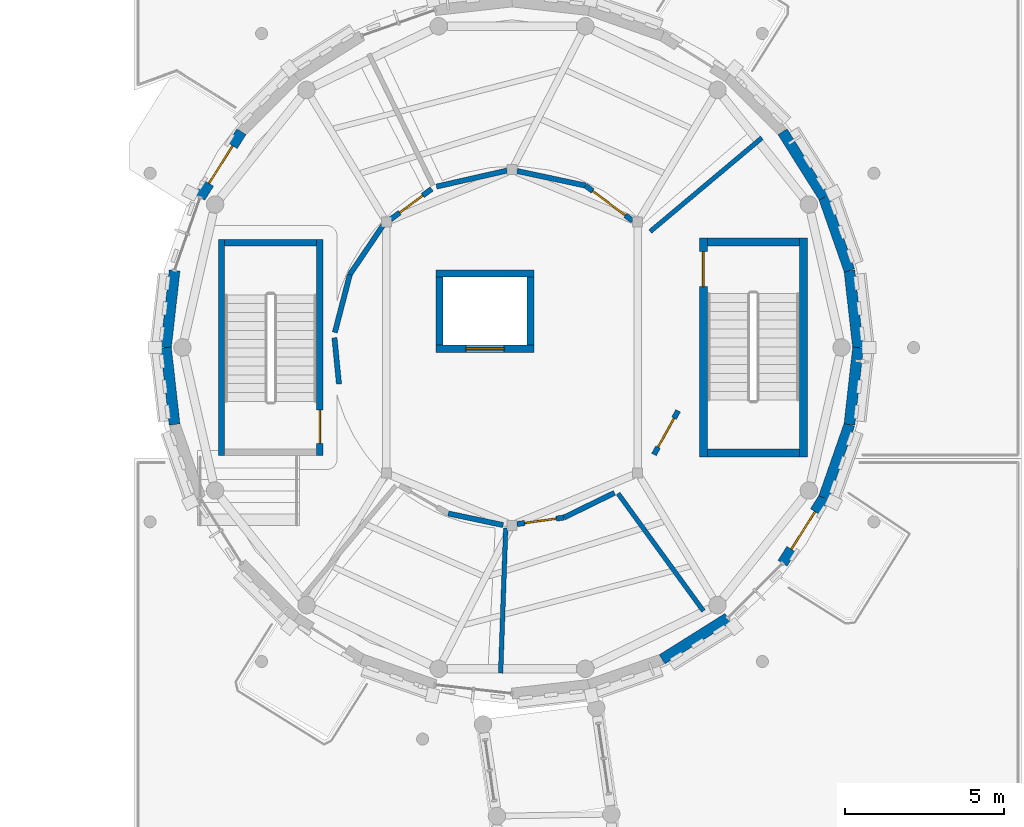
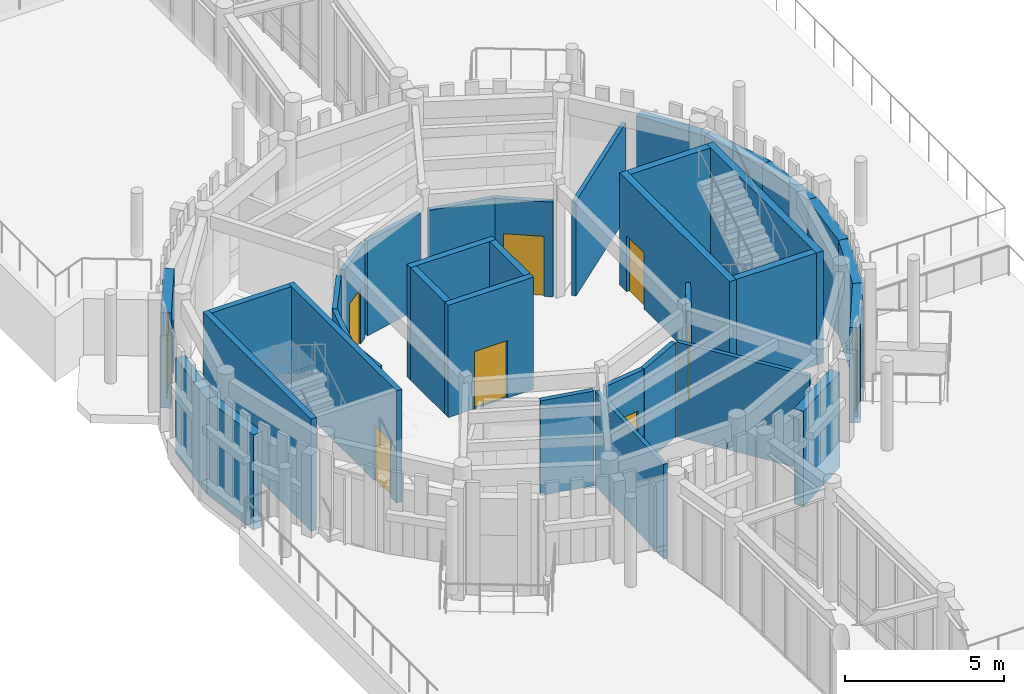
# One storey, part 47 of 94: 35 walls, 9 doors, 9 openings.
"""IFC4 building model written with IfcOpenShell, lengths in metres."""

from ifc_helpers import new_model, si_unit, direction, frame, frame_2d, origin, place, context, subcontext, project, spatial, rectangle, extrude, material, layer, layer_set, type_object, element, fill, save


model = new_model("IFC4")

# Units and contexts
model_context = context("Model", 3, precision=1e-05, world=origin(), true_north=direction((0.0, 1.0)))
body_context = subcontext(model_context, "Body", "Model", "MODEL_VIEW")
ifc_project = project(units=[si_unit("LENGTHUNIT", "METRE"), si_unit("AREAUNIT", "SQUARE_METRE"), si_unit("VOLUMEUNIT", "CUBIC_METRE"), si_unit("PLANEANGLEUNIT", "RADIAN"), si_unit("MASSUNIT", "GRAM", prefix="KILO")], contexts=[model_context])

# Site, building, storey
site_placement = place(None, origin())
site = spatial("IfcSite", under=ifc_project, at=site_placement, CompositionType="ELEMENT")
building_placement = place(site_placement, origin())
building = spatial("IfcBuilding", under=site, at=building_placement, Name="Aldenvaro Health Centre", CompositionType="ELEMENT")
storey_placement = place(building_placement, origin())
storey = spatial("IfcBuildingStorey", under=building, at=storey_placement, Name="L00", CompositionType="ELEMENT", Elevation=0.0)

# Walls
ifc_material_1 = material(Name="Gypsum Stud Acoustic Assembly")
ifc_layer_1 = layer(ifc_material_1, 0.14501953125, Name="Gypsum Stud Acoustic Assembly")
ifc_layer_set_1 = layer_set([ifc_layer_1], Name="Gypsum Stud Acoustic Assembly")
wall_type_1 = type_object("IfcWallType", Name="WL-CLN-145", PredefinedType="PARTITIONING", material=ifc_layer_set_1)
wall_1_placement = place(storey_placement, frame((27.85302734375, 61.153076171875, 0.0), z_axis=(0.0, 0.0, 1.0), x_axis=(0.766177182771, 0.64262938355, 0.0)))
element("IfcWall", 1, at=wall_1_placement, inside=storey, type_object=wall_type_1, Name="D3 L00 clinical partition 1.1", PredefinedType="PARTITIONING", context=body_context, shape_type="SweptSolid", body=[
    extrude(rectangle(XDim=4.59033203125, YDim=0.14501953125, at=frame_2d((2.295166015625, 0.0))), origin(), (0.0, 0.0, 1.0), 3.634033203125),
])
wall_2_placement = place(storey_placement, frame((23.302001953125, 51.820068359375, 0.0), z_axis=(0.0, 0.0, 1.0), x_axis=(-0.034908318573, -0.999390518914, 0.0)))
element("IfcWall", 2, at=wall_2_placement, inside=storey, type_object=wall_type_1, Name="D3 L00 clinical partition 5.1", PredefinedType="PARTITIONING", context=body_context, shape_type="SweptSolid", body=[
    extrude(rectangle(XDim=4.580810546875, YDim=0.14501953125, at=frame_2d((2.29052734375, 0.0))), origin(), (0.0, 0.0, 1.0), 3.634033203125),
])
wall_3_placement = place(storey_placement, frame((26.840087890625, 52.902099609375, 0.0), z_axis=(0.0, 0.0, 1.0), x_axis=(0.587873334136, -0.808952991843, 0.0)))
element("IfcWall", 3, at=wall_3_placement, inside=storey, type_object=wall_type_1, Name="D3 L00 clinical partition 6.1", PredefinedType="PARTITIONING", context=body_context, shape_type="SweptSolid", body=[
    extrude(rectangle(XDim=4.573974609375, YDim=0.14501953125, at=frame_2d((2.287109375, 0.0))), origin(), (0.0, 0.0, 1.0), 3.634033203125),
])

# Wall, opening, door
ifc_layer_2 = layer(ifc_material_1, 0.1650390625, Name="Gypsum Stud Acoustic Assembly")
ifc_layer_set_2 = layer_set([ifc_layer_2], Name="Gypsum Stud Acoustic Assembly")
wall_type_2 = type_object("IfcWallType", Name="WL-COR-165", PredefinedType="PARTITIONING", material=ifc_layer_set_2)
wall_4_placement = place(storey_placement, frame((27.300048828125, 61.489013671875, 0.0), z_axis=(0.0, 0.0, 1.0), x_axis=(-0.801023932766, 0.598632323831, 0.0)))
wall_4 = element("IfcWall", 4, at=wall_4_placement, inside=storey, type_object=wall_type_2, Name="D3 L00 corridor wall 01.1", PredefinedType="PARTITIONING", context=body_context, shape_type="SweptSolid", body=[
    extrude(rectangle(XDim=1.857666015625, YDim=0.1650390625, at=frame_2d((0.9287109375, 0.0))), origin(), (0.0, 0.0, 1.0), 3.634033203125),
])
opening_1_placement = place(wall_4_placement, frame((0.2890625, 0.0, 0.0)))
opening_1 = element("IfcOpeningElement", 5, at=opening_1_placement, cuts=wall_4, Name="Opening D-29", PredefinedType="OPENING", context=body_context, shape_type="SweptSolid", body=[
    extrude(rectangle(XDim=1.280029296875, YDim=2.300048828125, at=frame_2d((0.64013671875, 1.14990234375))), frame((0.0, 0.092529296875, 0.0), z_axis=(0.0, -1.0, 0.0), x_axis=(1.0, 0.0, 0.0)), (0.0, 0.0, 1.0), 0.18505859375),
])
ifc_material_2 = material(Name="Exam Suite Timber Door", Category="wood")
door_type_1 = type_object("IfcDoorType", Name="DR-CLN-29", OperationType="NOTDEFINED", PredefinedType="DOOR", material=ifc_material_2)
door_1_placement = place(opening_1_placement, origin())
door_1 = element("IfcDoor", 6, at=door_1_placement, inside=storey, type_object=door_type_1, Name="Physical Therapy and Gait Gymnasium Door", OperationType="SINGLE_SWING_LEFT", OverallHeight=2.300048828125, OverallWidth=1.280029296875, PredefinedType="DOOR", context=body_context, shape_type="SweptSolid", body=[
    extrude(rectangle(XDim=1.280029296875, YDim=2.300048828125, at=frame_2d((0.64013671875, 1.14990234375))), frame((0.0, 0.02490234375, 0.0), z_axis=(0.0, -1.0, 0.0), x_axis=(1.0, 0.0, 0.0)), (0.0, 0.0, 1.0), 0.050048828125),
])
fill(opening_1, door_1)

# Walls
wall_5_placement = place(storey_placement, frame((25.81201171875, 62.60107421875, 0.0), z_axis=(0.0, 0.0, 1.0), x_axis=(-0.978152936259, 0.207886587563, 0.0)))
element("IfcWall", 7, at=wall_5_placement, inside=storey, type_object=wall_type_2, Name="D3 L00 corridor wall 01.2", PredefinedType="PARTITIONING", context=body_context, shape_type="SweptSolid", body=[
    extrude(rectangle(XDim=2.203125, YDim=0.1650390625, at=frame_2d((1.1015625, 0.0))), origin(), (0.0, 0.0, 1.0), 3.634033203125),
])
wall_6_placement = place(storey_placement, frame((23.340087890625, 63.072021484375, 0.0), z_axis=(0.0, 0.0, 1.0), x_axis=(-0.975285396453, -0.2209488526, 0.0)))
element("IfcWall", 8, at=wall_6_placement, inside=storey, type_object=wall_type_2, Name="D3 L00 corridor wall 01.3", PredefinedType="PARTITIONING", context=body_context, shape_type="SweptSolid", body=[
    extrude(rectangle(XDim=2.276123046875, YDim=0.1650390625, at=frame_2d((1.13818359375, 0.0))), origin(), (0.0, 0.0, 1.0), 3.634033203125),
])

# Wall, opening, door
wall_7_placement = place(storey_placement, frame((20.970947265625, 62.49609375, 0.0), z_axis=(0.0, 0.0, 1.0), x_axis=(-0.803417109956, -0.59541661669, 0.0)))
wall_7 = element("IfcWall", 9, at=wall_7_placement, inside=storey, type_object=wall_type_2, Name="D3 L00 corridor wall 02.1", PredefinedType="PARTITIONING", context=body_context, shape_type="SweptSolid", body=[
    extrude(rectangle(XDim=1.605712890625, YDim=0.1650390625, at=frame_2d((0.802734375, 0.0))), origin(), (0.0, 0.0, 1.0), 3.634033203125),
])
opening_2_placement = place(wall_7_placement, frame((0.35302734375, 0.0, 0.0)))
opening_2 = element("IfcOpeningElement", 10, at=opening_2_placement, cuts=wall_7, Name="Opening WD-01", PredefinedType="OPENING", context=body_context, shape_type="SweptSolid", body=[
    extrude(rectangle(XDim=0.89990234375, YDim=2.10009765625, at=frame_2d((0.449951171875, 1.050048828125))), frame((0.0, 0.092529296875, 0.0), z_axis=(0.0, -1.0, 0.0), x_axis=(1.0, 0.0, 0.0)), (0.0, 0.0, 1.0), 0.18505859375),
])
ifc_material_3 = material(Name="Moisture-Resistant Laminate Door")
door_type_2 = type_object("IfcDoorType", Name="DR-WC-01", OperationType="NOTDEFINED", PredefinedType="DOOR", material=ifc_material_3)
door_2_placement = place(opening_2_placement, origin())
door_2 = element("IfcDoor", 11, at=door_2_placement, inside=storey, type_object=door_type_2, Name="Hydrotherapy Exercise Suite Door", OperationType="SINGLE_SWING_RIGHT", OverallHeight=2.10009765625, OverallWidth=0.89990234375, PredefinedType="DOOR", context=body_context, shape_type="SweptSolid", body=[
    extrude(rectangle(XDim=0.89990234375, YDim=2.10009765625, at=frame_2d((0.449951171875, 1.050048828125))), frame((0.0, 0.02490234375, 0.0), z_axis=(0.0, -1.0, 0.0), x_axis=(1.0, 0.0, 0.0)), (0.0, 0.0, 1.0), 0.050048828125),
])
fill(opening_2, door_2)

# Walls
wall_8_placement = place(storey_placement, frame((19.431884765625, 61.339111328125, 0.0), z_axis=(0.0, 0.0, 1.0), x_axis=(-0.559463805142, -0.828854782659, 0.0)))
element("IfcWall", 12, at=wall_8_placement, inside=storey, type_object=wall_type_2, Name="D3 L00 corridor wall 02.2", PredefinedType="PARTITIONING", context=body_context, shape_type="SweptSolid", body=[
    extrude(rectangle(XDim=1.853271484375, YDim=0.1650390625, at=frame_2d((0.9267578125, 0.0))), origin(), (0.0, 0.0, 1.0), 3.634033203125),
])
wall_9_placement = place(storey_placement, frame((18.39501953125, 59.802978515625, 0.0), z_axis=(0.0, 0.0, 1.0), x_axis=(-0.251275827958, -0.967915522287, 0.0)))
element("IfcWall", 13, at=wall_9_placement, inside=storey, type_object=wall_type_2, Name="D3 L00 corridor wall 02.3", PredefinedType="PARTITIONING", context=body_context, shape_type="SweptSolid", body=[
    extrude(rectangle(XDim=1.890625, YDim=0.1650390625, at=frame_2d((0.9453125, 0.0))), origin(), (0.0, 0.0, 1.0), 3.634033203125),
])
wall_10_placement = place(storey_placement, frame((17.907958984375, 57.80810546875, 0.0), z_axis=(0.0, 0.0, 1.0), x_axis=(0.097655572539, -0.995220271675, 0.0)))
element("IfcWall", 14, at=wall_10_placement, inside=storey, type_object=wall_type_2, Name="D3 L00 corridor wall 03.1", PredefinedType="PARTITIONING", context=body_context, shape_type="SweptSolid", body=[
    extrude(rectangle(XDim=1.465087890625, YDim=0.1650390625, at=frame_2d((0.732421875, 0.0))), origin(), (0.0, 0.0, 1.0), 3.634033203125),
])
wall_11_placement = place(storey_placement, frame((21.492919921875, 52.27197265625, 0.0), z_axis=(0.0, 0.0, 1.0), x_axis=(0.978436766116, -0.206546592113, 0.0)))
element("IfcWall", 15, at=wall_11_placement, inside=storey, type_object=wall_type_2, Name="D3 L00 corridor wall 04.2", PredefinedType="PARTITIONING", context=body_context, shape_type="SweptSolid", body=[
    extrude(rectangle(XDim=1.76708984375, YDim=0.1650390625, at=frame_2d((0.883544921875, 0.0))), origin(), (0.0, 0.0, 1.0), 3.634033203125),
])

# Wall, opening, door
wall_12_placement = place(storey_placement, frame((23.657958984375, 51.93896484375, 0.0), z_axis=(0.0, 0.0, 1.0), x_axis=(0.99043401567, 0.137987175508, 0.0)))
wall_12 = element("IfcWall", 16, at=wall_12_placement, inside=storey, type_object=wall_type_2, Name="D3 L00 corridor wall 05.1", PredefinedType="PARTITIONING", context=body_context, shape_type="SweptSolid", body=[
    extrude(rectangle(XDim=1.493408203125, YDim=0.1650390625, at=frame_2d((0.74658203125, 0.0))), origin(), (0.0, 0.0, 1.0), 3.634033203125),
])
opening_3_placement = place(wall_12_placement, frame((0.2470703125, 0.0, 0.0)))
opening_3 = element("IfcOpeningElement", 17, at=opening_3_placement, cuts=wall_12, Name="Opening D-03", PredefinedType="OPENING", context=body_context, shape_type="SweptSolid", body=[
    extrude(rectangle(XDim=1.0, YDim=2.139892578125, at=frame_2d((0.5, 1.06982421875))), frame((0.0, 0.092529296875, 0.0), z_axis=(0.0, -1.0, 0.0), x_axis=(1.0, 0.0, 0.0)), (0.0, 0.0, 1.0), 0.18505859375),
])
ifc_material_4 = material(Name="Solid Core Acoustic Timber Door", Category="wood")
door_type_3 = type_object("IfcDoorType", Name="DR-CLN-03", OperationType="NOTDEFINED", PredefinedType="DOOR", material=ifc_material_4)
door_3_placement = place(opening_3_placement, origin())
door_3 = element("IfcDoor", 18, at=door_3_placement, inside=storey, type_object=door_type_3, Name="Speech and Audiology Therapy Room Door", OperationType="SINGLE_SWING_RIGHT", OverallHeight=2.139892578125, OverallWidth=1.0, PredefinedType="DOOR", context=body_context, shape_type="SweptSolid", body=[
    extrude(rectangle(XDim=1.0, YDim=2.139892578125, at=frame_2d((0.5, 1.06982421875))), frame((0.0, 0.02490234375, 0.0), z_axis=(0.0, -1.0, 0.0), x_axis=(1.0, 0.0, 0.0)), (0.0, 0.0, 1.0), 0.050048828125),
])
fill(opening_3, door_3)

# Wall
wall_13_placement = place(storey_placement, frame((25.136962890625, 52.14501953125, 0.0), z_axis=(0.0, 0.0, 1.0), x_axis=(0.898398901361, 0.439180388944, 0.0)))
element("IfcWall", 19, at=wall_13_placement, inside=storey, type_object=wall_type_2, Name="D3 L00 corridor wall 05.2", PredefinedType="PARTITIONING", context=body_context, shape_type="SweptSolid", body=[
    extrude(rectangle(XDim=1.7666015625, YDim=0.1650390625, at=frame_2d((0.88330078125, 0.0))), origin(), (0.0, 0.0, 1.0), 3.634033203125),
])

# Wall, opening, door
wall_14_placement = place(storey_placement, frame((27.971923828125, 54.1298828125, 0.0), z_axis=(0.0, 0.0, 1.0), x_axis=(0.483639192056, 0.875267463069, 0.0)))
wall_14 = element("IfcWall", 20, at=wall_14_placement, inside=storey, type_object=wall_type_2, Name="D3 L00 corridor wall 06.1", PredefinedType="PARTITIONING", context=body_context, shape_type="SweptSolid", body=[
    extrude(rectangle(XDim=1.573486328125, YDim=0.1650390625, at=frame_2d((0.78662109375, 0.0))), origin(), (0.0, 0.0, 1.0), 3.634033203125),
])
opening_4_placement = place(wall_14_placement, frame((0.26708984375, 0.0, 0.0)))
opening_4 = element("IfcOpeningElement", 21, at=opening_4_placement, cuts=wall_14, Name="Opening D-04", PredefinedType="OPENING", context=body_context, shape_type="SweptSolid", body=[
    extrude(rectangle(XDim=1.0400390625, YDim=2.139892578125, at=frame_2d((0.52001953125, 1.06982421875))), frame((0.0, 0.092529296875, 0.0), z_axis=(0.0, -1.0, 0.0), x_axis=(1.0, 0.0, 0.0)), (0.0, 0.0, 1.0), 0.18505859375),
])
door_type_4 = type_object("IfcDoorType", Name="DR-CLN-04", OperationType="NOTDEFINED", PredefinedType="DOOR", material=ifc_material_4)
door_4_placement = place(opening_4_placement, origin())
door_4 = element("IfcDoor", 22, at=door_4_placement, inside=storey, type_object=door_type_4, Name="Mobility Splint Fitting Room Door", OperationType="SINGLE_SWING_LEFT", OverallHeight=2.139892578125, OverallWidth=1.0400390625, PredefinedType="DOOR", context=body_context, shape_type="SweptSolid", body=[
    extrude(rectangle(XDim=1.0400390625, YDim=2.139892578125, at=frame_2d((0.52001953125, 1.06982421875))), frame((0.0, 0.02490234375, 0.0), z_axis=(0.0, -1.0, 0.0), x_axis=(1.0, 0.0, 0.0)), (0.0, 0.0, 1.0), 0.050048828125),
])
fill(opening_4, door_4)

# Walls
ifc_material_5 = material(Name="Concrete f'c 35 MPa", Category="concrete")
ifc_layer_3 = layer(ifc_material_5, 0.340087890625, Name="Concrete f'c 35 MPa", Category="concrete")
ifc_layer_set_3 = layer_set([ifc_layer_3], Name="Concrete f'c 35 MPa")
wall_type_3 = type_object("IfcWallType", Name="WL-EXT-340", PredefinedType="SOLIDWALL", material=ifc_layer_set_3)
wall_15_placement = place(storey_placement, frame((34.39990234375, 57.5, 0.0), z_axis=(0.0, 0.0, 1.0), x_axis=(-0.111847873866, -0.993725340882, 0.0)))
element("IfcWall", 23, at=wall_15_placement, inside=storey, type_object=wall_type_3, Name="D3 L00 exterior wall 01", PredefinedType="SOLIDWALL", context=body_context, shape_type="SweptSolid", body=[
    extrude(rectangle(XDim=2.4404296875, YDim=0.340087890625, at=frame_2d((1.22021484375, 0.0))), origin(), (0.0, 0.0, 1.0), 3.658935546875),
])
wall_16_placement = place(storey_placement, frame((34.126953125, 55.074951171875, 0.0), z_axis=(0.0, 0.0, 1.0), x_axis=(-0.330176659411, -0.943919156274, 0.0)))
element("IfcWall", 24, at=wall_16_placement, inside=storey, type_object=wall_type_3, Name="D3 L00 exterior wall 02", PredefinedType="SOLIDWALL", context=body_context, shape_type="SweptSolid", body=[
    extrude(rectangle(XDim=2.44091796875, YDim=0.340087890625, at=frame_2d((1.220458984375, 0.0))), origin(), (0.0, 0.0, 1.0), 3.658935546875),
])

# Wall, opening, door
wall_17_placement = place(storey_placement, frame((33.321044921875, 52.77099609375, 0.0), z_axis=(0.0, 0.0, 1.0), x_axis=(-0.532136726684, -0.846658434148, 0.0)))
wall_17 = element("IfcWall", 25, at=wall_17_placement, inside=storey, type_object=wall_type_3, Name="D3 L00 exterior wall 03", PredefinedType="SOLIDWALL", context=body_context, shape_type="SweptSolid", body=[
    extrude(rectangle(XDim=2.441162109375, YDim=0.340087890625, at=frame_2d((1.220703125, 0.0))), origin(), (0.0, 0.0, 1.0), 3.658935546875),
])
opening_5_placement = place(wall_17_placement, frame((0.52099609375, 0.0, 0.0)))
opening_5 = element("IfcOpeningElement", 26, at=opening_5_placement, cuts=wall_17, Name="Opening ED-05", PredefinedType="OPENING", context=body_context, shape_type="SweptSolid", body=[
    extrude(rectangle(XDim=1.39990234375, YDim=2.300048828125, at=frame_2d((0.699951171875, 1.14990234375))), frame((0.0, 0.18017578125, 0.0), z_axis=(0.0, -1.0, 0.0), x_axis=(1.0, 0.0, 0.0)), (0.0, 0.0, 1.0), 0.360107421875),
])
ifc_material_6 = material(Name="Thermally Broken Glazed Aluminium", Category="aluminium")
door_type_5 = type_object("IfcDoorType", Name="DR-GDN-140", OperationType="NOTDEFINED", PredefinedType="DOOR", material=ifc_material_6)
door_5_placement = place(opening_5_placement, origin())
door_5 = element("IfcDoor", 27, at=door_5_placement, inside=storey, type_object=door_type_5, Name="Pedestrian Final Exit Door 13", OperationType="SINGLE_SWING_LEFT", OverallHeight=2.300048828125, OverallWidth=1.39990234375, PredefinedType="DOOR", context=body_context, shape_type="SweptSolid", body=[
    extrude(rectangle(XDim=1.39990234375, YDim=2.300048828125, at=frame_2d((0.699951171875, 1.14990234375))), frame((0.0, 0.02490234375, 0.0), z_axis=(0.0, -1.0, 0.0), x_axis=(1.0, 0.0, 0.0)), (0.0, 0.0, 1.0), 0.050048828125),
])
fill(opening_5, door_5)

# Walls
wall_18_placement = place(storey_placement, frame((30.2958984375, 48.97802734375, 0.0), z_axis=(0.0, 0.0, 1.0), x_axis=(-0.846658434148, -0.532136726684, 0.0)))
element("IfcWall", 28, at=wall_18_placement, inside=storey, type_object=wall_type_3, Name="D3 L00 exterior wall 05", PredefinedType="SOLIDWALL", context=body_context, shape_type="SweptSolid", body=[
    extrude(rectangle(XDim=2.441162109375, YDim=0.340087890625, at=frame_2d((1.220703125, 0.0))), origin(), (0.0, 0.0, 1.0), 3.658935546875),
])
for number, where, z_axis, x_axis, name in (
    (29, (12.873046875, 55.074951171875, 0.0), (0.0, 0.0, 1.0), (-0.111847873866, 0.993725340882, 0.0), "D3 L00 exterior wall 14"),
    (30, (12.60009765625, 57.5, 0.0), (0.0, 0.0, 1.0), (0.111847873866, 0.993725340882, 0.0), "D3 L00 exterior wall 15"),
):
    element("IfcWall", number, at=place(storey_placement, frame(where, z_axis=z_axis, x_axis=x_axis)), inside=storey, type_object=wall_type_3, Name=name, PredefinedType="SOLIDWALL", context=body_context, shape_type="SweptSolid", body=[
        extrude(rectangle(XDim=2.4404296875, YDim=0.340087890625, at=frame_2d((1.22021484375, 0.0))), origin(), (0.0, 0.0, 1.0), 3.658935546875),
    ])

# Wall, opening, door
wall_19_placement = place(storey_placement, frame((13.678955078125, 62.22900390625, 0.0), z_axis=(0.0, 0.0, 1.0), x_axis=(0.532136726684, 0.846658434148, 0.0)))
wall_19 = element("IfcWall", 31, at=wall_19_placement, inside=storey, type_object=wall_type_3, Name="D3 L00 exterior wall 17", PredefinedType="SOLIDWALL", context=body_context, shape_type="SweptSolid", body=[
    extrude(rectangle(XDim=2.441162109375, YDim=0.340087890625, at=frame_2d((1.220703125, 0.0))), origin(), (0.0, 0.0, 1.0), 3.658935546875),
])
opening_6_placement = place(wall_19_placement, frame((0.52099609375, 0.0, 0.0)))
opening_6 = element("IfcOpeningElement", 32, at=opening_6_placement, cuts=wall_19, Name="Opening ED-05", PredefinedType="OPENING", context=body_context, shape_type="SweptSolid", body=[
    extrude(rectangle(XDim=1.39990234375, YDim=2.300048828125, at=frame_2d((0.699951171875, 1.14990234375))), frame((0.0, 0.18017578125, 0.0), z_axis=(0.0, -1.0, 0.0), x_axis=(1.0, 0.0, 0.0)), (0.0, 0.0, 1.0), 0.360107421875),
])
door_6_placement = place(opening_6_placement, origin())
door_6 = element("IfcDoor", 33, at=door_6_placement, inside=storey, type_object=door_type_5, Name="Pedestrian Final Exit Door 15", OperationType="SINGLE_SWING_LEFT", OverallHeight=2.300048828125, OverallWidth=1.39990234375, PredefinedType="DOOR", context=body_context, shape_type="SweptSolid", body=[
    extrude(rectangle(XDim=1.39990234375, YDim=2.300048828125, at=frame_2d((0.699951171875, 1.14990234375))), frame((0.0, 0.02490234375, 0.0), z_axis=(0.0, -1.0, 0.0), x_axis=(1.0, 0.0, 0.0)), (0.0, 0.0, 1.0), 0.050048828125),
])
fill(opening_6, door_6)

# Walls
wall_20_placement = place(storey_placement, frame((32.02197265625, 64.2958984375, 0.0), z_axis=(0.0, 0.0, 1.0), x_axis=(0.532136726684, -0.846658434148, 0.0)))
element("IfcWall", 34, at=wall_20_placement, inside=storey, type_object=wall_type_3, Name="D3 L00 exterior wall 26", PredefinedType="SOLIDWALL", context=body_context, shape_type="SweptSolid", body=[
    extrude(rectangle(XDim=2.441162109375, YDim=0.340087890625, at=frame_2d((1.220703125, 0.0))), origin(), (0.0, 0.0, 1.0), 3.658935546875),
])
wall_21_placement = place(storey_placement, frame((33.321044921875, 62.22900390625, 0.0), z_axis=(0.0, 0.0, 1.0), x_axis=(0.330176659411, -0.943919156274, 0.0)))
element("IfcWall", 35, at=wall_21_placement, inside=storey, type_object=wall_type_3, Name="D3 L00 exterior wall 27", PredefinedType="SOLIDWALL", context=body_context, shape_type="SweptSolid", body=[
    extrude(rectangle(XDim=2.44091796875, YDim=0.340087890625, at=frame_2d((1.220458984375, 0.0))), origin(), (0.0, 0.0, 1.0), 3.658935546875),
])
wall_22_placement = place(storey_placement, frame((34.126953125, 59.925048828125, 0.0), z_axis=(0.0, 0.0, 1.0), x_axis=(0.111847873866, -0.993725340882, 0.0)))
element("IfcWall", 36, at=wall_22_placement, inside=storey, type_object=wall_type_3, Name="D3 L00 exterior wall 28", PredefinedType="SOLIDWALL", context=body_context, shape_type="SweptSolid", body=[
    extrude(rectangle(XDim=2.4404296875, YDim=0.340087890625, at=frame_2d((1.22021484375, 0.0))), origin(), (0.0, 0.0, 1.0), 3.658935546875),
])

# Wall, opening, door
ifc_material_7 = material(Name="Concrete f'c 40 MPa", Category="concrete")
ifc_layer_4 = layer(ifc_material_7, 0.199951171875, Name="Concrete f'c 40 MPa", Category="concrete")
ifc_layer_set_4 = layer_set([ifc_layer_4], Name="Concrete f'c 40 MPa")
wall_type_4 = type_object("IfcWallType", Name="WL-SHAFT-200", PredefinedType="SHEAR", material=ifc_layer_set_4)
wall_23_placement = place(storey_placement, frame((17.449951171875, 54.10009765625, 0.0), z_axis=(0.0, 0.0, 1.0), x_axis=(0.0, 1.0, 0.0)))
wall_23 = element("IfcWall", 37, at=wall_23_placement, inside=storey, type_object=wall_type_4, Name="ST-06 L00 inner core wall", PredefinedType="SHEAR", context=body_context, shape_type="SweptSolid", body=[
    extrude(rectangle(XDim=6.7998046875, YDim=0.199951171875, at=frame_2d((3.39990234375, 0.0))), origin(), (0.0, 0.0, 1.0), 4.304931640625),
])
opening_7_placement = place(wall_23_placement, frame((0.3798828125, 0.0, 0.0)))
opening_7 = element("IfcOpeningElement", 38, at=opening_7_placement, cuts=wall_23, Name="Opening FD-02", PredefinedType="OPENING", context=body_context, shape_type="SweptSolid", body=[
    extrude(rectangle(XDim=1.050048828125, YDim=2.14990234375, at=frame_2d((0.52490234375, 1.074951171875))), frame((0.0, 0.10986328125, 0.0), z_axis=(0.0, -1.0, 0.0), x_axis=(1.0, 0.0, 0.0)), (0.0, 0.0, 1.0), 0.219970703125),
])
ifc_material_8 = material(Name="Fire-Rated Steel Door Assembly", Category="steel")
door_type_6 = type_object("IfcDoorType", Name="DR-STAIR-105", OperationType="NOTDEFINED", PredefinedType="DOOR", material=ifc_material_8)
door_7_placement = place(opening_7_placement, origin())
door_7 = element("IfcDoor", 39, at=door_7_placement, inside=storey, type_object=door_type_6, Name="ST-06 L00 fire stair door", OperationType="SINGLE_SWING_LEFT", OverallHeight=2.14990234375, OverallWidth=1.050048828125, PredefinedType="DOOR", context=body_context, shape_type="SweptSolid", body=[
    extrude(rectangle(XDim=1.050048828125, YDim=2.14990234375, at=frame_2d((0.52490234375, 1.074951171875))), frame((0.0, 0.02490234375, 0.0), z_axis=(0.0, -1.0, 0.0), x_axis=(1.0, 0.0, 0.0)), (0.0, 0.0, 1.0), 0.050048828125),
])
fill(opening_7, door_7)

# Walls
wall_24_placement = place(storey_placement, frame((14.35009765625, 54.10009765625, 0.0), z_axis=(0.0, 0.0, 1.0), x_axis=(0.0, 1.0, 0.0)))
element("IfcWall", 40, at=wall_24_placement, inside=storey, type_object=wall_type_4, Name="ST-06 L00 far core wall", PredefinedType="SHEAR", context=body_context, shape_type="SweptSolid", body=[
    extrude(rectangle(XDim=6.7998046875, YDim=0.199951171875, at=frame_2d((3.39990234375, 0.0))), origin(), (0.0, 0.0, 1.0), 4.304931640625),
])
wall_25_placement = place(storey_placement, frame((17.35009765625, 60.800048828125, 0.0), z_axis=(0.0, 0.0, 1.0), x_axis=(-1.0, 0.0, 0.0)))
element("IfcWall", 41, at=wall_25_placement, inside=storey, type_object=wall_type_4, Name="ST-06 L00 side core wall R", PredefinedType="SHEAR", context=body_context, shape_type="SweptSolid", body=[
    extrude(rectangle(XDim=2.900146484375, YDim=0.199951171875, at=frame_2d((1.4501953125, 0.0))), origin(), (0.0, 0.0, 1.0), 4.304931640625),
])

# Wall, opening, door
ifc_layer_5 = layer(ifc_material_7, 0.22509765625, Name="Concrete f'c 40 MPa", Category="concrete")
ifc_layer_set_5 = layer_set([ifc_layer_5], Name="Concrete f'c 40 MPa")
wall_type_5 = type_object("IfcWallType", Name="WL-SHAFT-225", PredefinedType="SHEAR", material=ifc_layer_set_5)
wall_26_placement = place(storey_placement, frame((21.10009765625, 57.4619140625, 0.0), z_axis=(0.0, 0.0, 1.0), x_axis=(1.0, 0.0, 0.0)))
wall_26 = element("IfcWall", 42, at=wall_26_placement, inside=storey, type_object=wall_type_5, Name="LF-03 L00 lift shaft front wall", PredefinedType="SHEAR", context=body_context, shape_type="SweptSolid", body=[
    extrude(rectangle(XDim=3.099853515625, YDim=0.22509765625, at=frame_2d((1.5498046875, 0.0))), origin(), (0.0, 0.0, 1.0), 4.304931640625),
])
opening_8_placement = place(wall_26_placement, frame((0.949951171875, 0.0, 0.0)))
opening_8 = element("IfcOpeningElement", 43, at=opening_8_placement, cuts=wall_26, Name="Opening LD-01", PredefinedType="OPENING", context=body_context, shape_type="SweptSolid", body=[
    extrude(rectangle(XDim=1.199951171875, YDim=2.199951171875, at=frame_2d((0.60009765625, 1.10009765625))), frame((0.0, 0.12255859375, 0.0), z_axis=(0.0, -1.0, 0.0), x_axis=(1.0, 0.0, 0.0)), (0.0, 0.0, 1.0), 0.2451171875),
])
ifc_material_9 = material(Name="Stainless Steel Lift Landing Door", Category="steel")
door_type_7 = type_object("IfcDoorType", Name="DR-LIFT-120", OperationType="DOUBLE_DOOR_SLIDING", PredefinedType="DOOR", material=ifc_material_9)
door_8_placement = place(opening_8_placement, origin())
door_8 = element("IfcDoor", 44, at=door_8_placement, inside=storey, type_object=door_type_7, Name="Lift LF-03 L00 Sliding Landing Door", OperationType="DOUBLE_DOOR_SLIDING", OverallHeight=2.199951171875, OverallWidth=1.199951171875, PredefinedType="DOOR", context=body_context, shape_type="SweptSolid", body=[
    extrude(rectangle(XDim=1.199951171875, YDim=2.199951171875, at=frame_2d((0.60009765625, 1.10009765625))), frame((0.0, 0.02490234375, 0.0), z_axis=(0.0, -1.0, 0.0), x_axis=(1.0, 0.0, 0.0)), (0.0, 0.0, 1.0), 0.050048828125),
])
fill(opening_8, door_8)

# Walls
wall_27_placement = place(storey_placement, frame((21.10009765625, 59.8369140625, 0.0), z_axis=(0.0, 0.0, 1.0), x_axis=(1.0, 0.0, 0.0)))
element("IfcWall", 45, at=wall_27_placement, inside=storey, type_object=wall_type_5, Name="LF-03 L00 lift shaft rear wall", PredefinedType="SHEAR", context=body_context, shape_type="SweptSolid", body=[
    extrude(rectangle(XDim=3.099853515625, YDim=0.22509765625, at=frame_2d((1.5498046875, 0.0))), origin(), (0.0, 0.0, 1.0), 4.304931640625),
])
for number, where, z_axis, x_axis, name in (
    (46, (21.2119140625, 57.574951171875, 0.0), (0.0, 0.0, 1.0), (0.0, 1.0, 0.0), "LF-03 L00 lift shaft side wall L"),
    (47, (24.0869140625, 57.574951171875, 0.0), (0.0, 0.0, 1.0), (0.0, 1.0, 0.0), "LF-03 L00 lift shaft side wall R"),
):
    element("IfcWall", number, at=place(storey_placement, frame(where, z_axis=z_axis, x_axis=x_axis)), inside=storey, type_object=wall_type_5, Name=name, PredefinedType="SHEAR", context=body_context, shape_type="SweptSolid", body=[
        extrude(rectangle(XDim=2.150146484375, YDim=0.22509765625, at=frame_2d((1.0751953125, 0.0))), origin(), (0.0, 0.0, 1.0), 4.304931640625),
    ])

# Wall, opening, door
ifc_layer_6 = layer(ifc_material_7, 0.25, Name="Concrete f'c 40 MPa", Category="concrete")
ifc_layer_set_6 = layer_set([ifc_layer_6], Name="Concrete f'c 40 MPa")
wall_type_6 = type_object("IfcWallType", Name="WL-SHAFT-250", PredefinedType="SHEAR", material=ifc_layer_set_6)
wall_28_placement = place(storey_placement, frame((29.52490234375, 60.949951171875, 0.0), z_axis=(0.0, 0.0, 1.0), x_axis=(0.0, -1.0, 0.0)))
wall_28 = element("IfcWall", 48, at=wall_28_placement, inside=storey, type_object=wall_type_6, Name="ST-05 L00 inner core wall", PredefinedType="SHEAR", context=body_context, shape_type="SweptSolid", body=[
    extrude(rectangle(XDim=6.89990234375, YDim=0.25, at=frame_2d((3.449951171875, 0.0))), origin(), (0.0, 0.0, 1.0), 4.304931640625),
])
opening_9_placement = place(wall_28_placement, frame((0.429931640625, 0.0, 0.0)))
opening_9 = element("IfcOpeningElement", 49, at=opening_9_placement, cuts=wall_28, Name="Opening FD-01", PredefinedType="OPENING", context=body_context, shape_type="SweptSolid", body=[
    extrude(rectangle(XDim=1.10009765625, YDim=2.14990234375, at=frame_2d((0.550048828125, 1.074951171875))), frame((0.0, 0.135009765625, 0.0), z_axis=(0.0, -1.0, 0.0), x_axis=(1.0, 0.0, 0.0)), (0.0, 0.0, 1.0), 0.27001953125),
])
door_type_8 = type_object("IfcDoorType", Name="DR-STAIR-110", OperationType="NOTDEFINED", PredefinedType="DOOR", material=ifc_material_8)
door_9_placement = place(opening_9_placement, origin())
door_9 = element("IfcDoor", 50, at=door_9_placement, inside=storey, type_object=door_type_8, Name="ST-05 L00 fire stair door", OperationType="SINGLE_SWING_RIGHT", OverallHeight=2.14990234375, OverallWidth=1.10009765625, PredefinedType="DOOR", context=body_context, shape_type="SweptSolid", body=[
    extrude(rectangle(XDim=1.10009765625, YDim=2.14990234375, at=frame_2d((0.550048828125, 1.074951171875))), frame((0.0, 0.02490234375, 0.0), z_axis=(0.0, -1.0, 0.0), x_axis=(1.0, 0.0, 0.0)), (0.0, 0.0, 1.0), 0.050048828125),
])
fill(opening_9, door_9)

# Walls
wall_29_placement = place(storey_placement, frame((32.675048828125, 60.949951171875, 0.0), z_axis=(0.0, 0.0, 1.0), x_axis=(0.0, -1.0, 0.0)))
element("IfcWall", 51, at=wall_29_placement, inside=storey, type_object=wall_type_6, Name="ST-05 L00 far core wall", PredefinedType="SHEAR", context=body_context, shape_type="SweptSolid", body=[
    extrude(rectangle(XDim=6.89990234375, YDim=0.25, at=frame_2d((3.449951171875, 0.0))), origin(), (0.0, 0.0, 1.0), 4.304931640625),
])
for number, where, z_axis, x_axis, name in (
    (52, (29.64990234375, 60.824951171875, 0.0), (0.0, 0.0, 1.0), (1.0, 0.0, 0.0), "ST-05 L00 side core wall L"),
    (53, (29.64990234375, 54.175048828125, 0.0), (0.0, 0.0, 1.0), (1.0, 0.0, 0.0), "ST-05 L00 side core wall R"),
):
    element("IfcWall", number, at=place(storey_placement, frame(where, z_axis=z_axis, x_axis=x_axis)), inside=storey, type_object=wall_type_6, Name=name, PredefinedType="SHEAR", context=body_context, shape_type="SweptSolid", body=[
        extrude(rectangle(XDim=2.900146484375, YDim=0.25, at=frame_2d((1.4501953125, 0.0))), origin(), (0.0, 0.0, 1.0), 4.304931640625),
    ])

save(model, "model.ifc")
